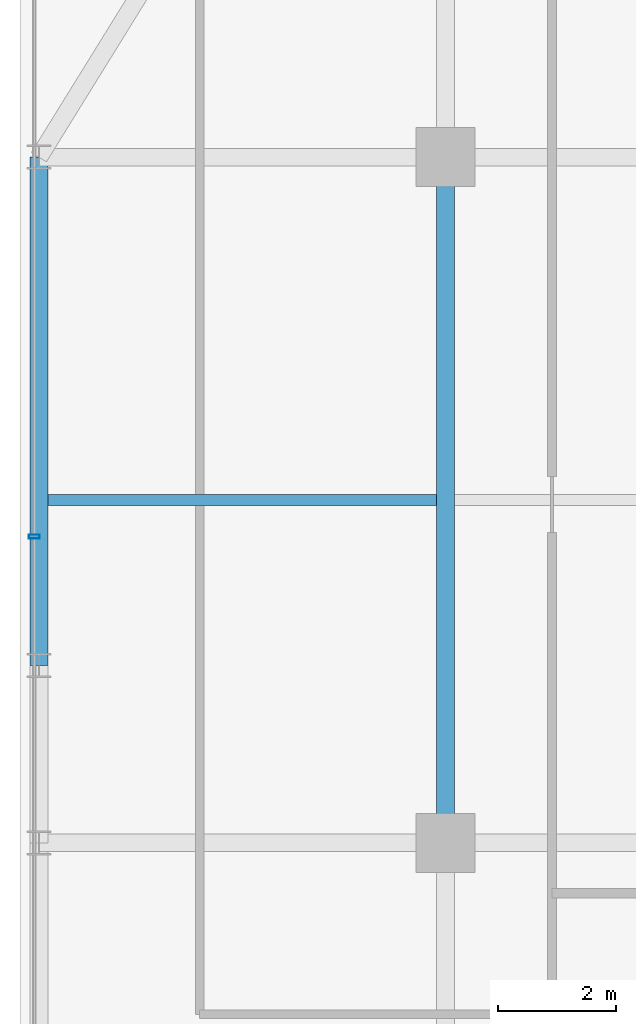
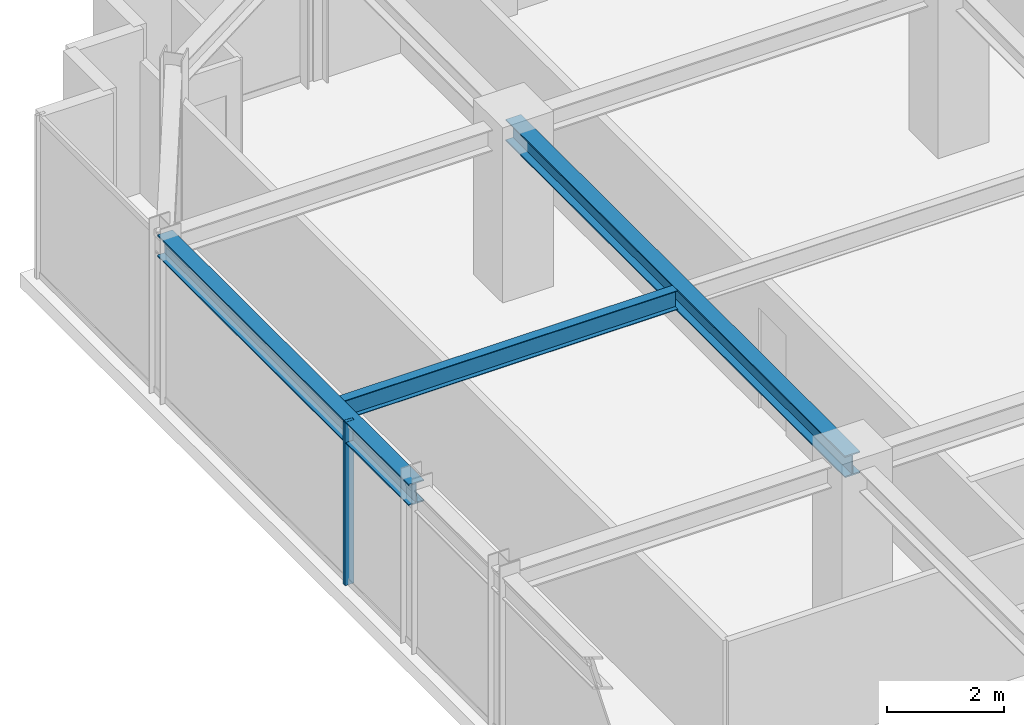
# One storey, part 18 of 36: 3 beams, 1 member, 1 element without a shape of its own.
"""IFC4 building model written with IfcOpenShell, lengths in metres."""

from ifc_helpers import new_model, si_unit, direction, frame, origin, origin_2d, place, context, subcontext, project, spatial, hollow_rectangle, i_section, extrude, source, transform, mapped, material, material_profile, profile_set, type_object, element, aggregate, save


model = new_model("IFC4")

# Units and contexts
model_context = context("Model", 3, precision=1e-05, world=origin(), true_north=direction((0.0, 1.0)))
body_context = subcontext(model_context, "Body", "Model", "MODEL_VIEW")
ifc_project = project(units=[si_unit("LENGTHUNIT", "METRE"), si_unit("AREAUNIT", "SQUARE_METRE"), si_unit("VOLUMEUNIT", "CUBIC_METRE"), si_unit("PLANEANGLEUNIT", "RADIAN"), si_unit("MASSUNIT", "GRAM", prefix="KILO")], contexts=[model_context])

# Site, building, storey
site_placement = place(None, origin())
site = spatial("IfcSite", under=ifc_project, at=site_placement, CompositionType="ELEMENT")
building_placement = place(site_placement, origin())
building = spatial("IfcBuilding", under=site, at=building_placement, Name="Nahalor Promenade Grand Hotel", CompositionType="ELEMENT")
storey_placement = place(building_placement, frame((0.0, 0.0, 234.5)))
storey = spatial("IfcBuildingStorey", under=building, at=storey_placement, Name="L60", CompositionType="ELEMENT", Elevation=234.5)

# Beams
ifc_material_1 = material(Name="Steel S355JR", Category="steel")
ifc_material_profile_1 = material_profile(ifc_material_1, i_section(OverallWidth=0.3, OverallDepth=0.45, WebThickness=0.014, FlangeThickness=0.026, at=origin_2d()), Name="HEB 450")
ifc_profile_set_1 = profile_set([ifc_material_profile_1], Name="Steel S355JR")
beam_type_1 = type_object("IfcBeamType", Name="Beam-Spandrel-HEB450", PredefinedType="SPANDREL", material=ifc_profile_set_1)
shared_shape_1 = source(origin(), body_context, "Body", "SweptSolid", [
    extrude(i_section(OverallWidth=0.3, OverallDepth=0.45, WebThickness=0.014, FlangeThickness=0.026, at=origin_2d()), origin(), (0.0, 0.0, 1.0), 8.60009765625),
])
beam_1_placement = place(storey_placement, frame((-23.8798828125, 8.39990234375, 3.18505859375), z_axis=(0.0, 1.0, 0.0), x_axis=(-1.0, 0.0, 0.0)))
element("IfcBeam", 1, at=beam_1_placement, inside=storey, type_object=beam_type_1, Name="BM-L60-SP-W-4", PredefinedType="SPANDREL", context=body_context, shape_type="MappedRepresentation", body=[
    mapped(shared_shape_1, transform((0.0, 0.0, 0.0), scale=1.0)),
])
ifc_material_profile_2 = material_profile(ifc_material_1, i_section(OverallWidth=0.3, OverallDepth=0.45, WebThickness=0.014, FlangeThickness=0.026, at=origin_2d()), Name="HEB 450")
ifc_profile_set_2 = profile_set([ifc_material_profile_2], Name="Steel S355JR")
beam_type_2 = type_object("IfcBeamType", Name="Beam-Girder-HEB450", PredefinedType="BEAM", material=ifc_profile_set_2)
shared_shape_2 = source(origin(), body_context, "Body", "SweptSolid", [
    extrude(i_section(OverallWidth=0.3, OverallDepth=0.45, WebThickness=0.014, FlangeThickness=0.026, at=origin_2d()), origin(), (0.0, 0.0, 1.0), 11.60009765625),
])
beam_2_placement = place(storey_placement, frame((-17.0, 5.39990234375, 3.18505859375), z_axis=(0.0, 1.0, 0.0), x_axis=(-1.0, 0.0, 0.0)))
element("IfcBeam", 2, at=beam_2_placement, inside=storey, type_object=beam_type_2, Name="BM-L60-GY-0-3", PredefinedType="BEAM", context=body_context, shape_type="MappedRepresentation", body=[
    mapped(shared_shape_2, transform((0.0, 0.0, 0.0), scale=1.0)),
])
ifc_material_profile_3 = material_profile(ifc_material_1, i_section(OverallWidth=0.18, OverallDepth=0.4, WebThickness=0.0086, FlangeThickness=0.0135, at=origin_2d()), Name="IPE 400")
ifc_profile_set_3 = profile_set([ifc_material_profile_3], Name="Steel S355JR")
beam_type_3 = type_object("IfcBeamType", Name="Beam-Joist-IPE400", PredefinedType="JOIST", material=ifc_profile_set_3)
shared_shape_3 = source(origin(), body_context, "Body", "SweptSolid", [
    extrude(i_section(OverallWidth=0.18, OverallDepth=0.4, WebThickness=0.0086, FlangeThickness=0.0135, at=origin_2d()), origin(), (0.0, 0.0, 1.0), 6.580078125),
])
beam_3_placement = place(storey_placement, frame((-23.72998046875, 11.199951171875, 3.2099609375), z_axis=(1.0, 0.0, 0.0), x_axis=(0.0, 1.0, 0.0)))
element("IfcBeam", 3, at=beam_3_placement, inside=storey, type_object=beam_type_3, Name="BM-L60-JSW-1-0", PredefinedType="JOIST", context=body_context, shape_type="MappedRepresentation", body=[
    mapped(shared_shape_3, transform((0.0, 0.0, 0.0), scale=1.0)),
])

# Curtain wall, member
ifc_material_2 = material(Name="Anodised Bronze Aluminium EN AW-6063 T6", Category="aluminium")
curtain_wall_type = type_object("IfcCurtainWallType", Name="CW2 Typical Hotel Flush Bronze Unitised Curtain Wall", PredefinedType="USERDEFINED", material=ifc_material_2)
curtain_wall_placement = place(storey_placement, origin())
curtain_wall = element("IfcCurtainWall", 4, at=curtain_wall_placement, inside=storey, type_object=curtain_wall_type, Name="L60 Curtain Wall CW-L60-W-1", ObjectType="UNITISED_CURTAIN_WALL", PredefinedType="USERDEFINED")
ifc_material_profile_4 = material_profile(ifc_material_2, hollow_rectangle(XDim=0.065, YDim=0.18, WallThickness=0.004, at=origin_2d()), Name="CWM 65x180x4")
ifc_profile_set_4 = profile_set([ifc_material_profile_4], Name="Anodised Bronze Aluminium EN AW-6063 T6")
member_type = type_object("IfcMemberType", Name="CWM2 Typical Bronze Mullion 65x180", PredefinedType="MULLION", material=ifc_profile_set_4)
shared_shape_4 = source(origin(), body_context, "Body", "SweptSolid", [
    extrude(hollow_rectangle(XDim=0.065, YDim=0.18, WallThickness=0.004, at=origin_2d()), origin(), (0.0, 0.0, 1.0), 3.409912109375),
])
member_placement = place(storey_placement, frame((-23.9599609375, 10.580078125, 0.0), z_axis=(0.0, 0.0, 1.0), x_axis=(0.0, 1.0, 0.0)))
member = element("IfcMember", 5, at=member_placement, type_object=member_type, Name="CW-L60-W-1 Mullion 3", PredefinedType="MULLION", context=body_context, shape_type="MappedRepresentation", body=[
    mapped(shared_shape_4, transform((0.0, 0.0, 0.0), scale=1.0)),
])
aggregate(curtain_wall, [member])

save(model, "model.ifc")
